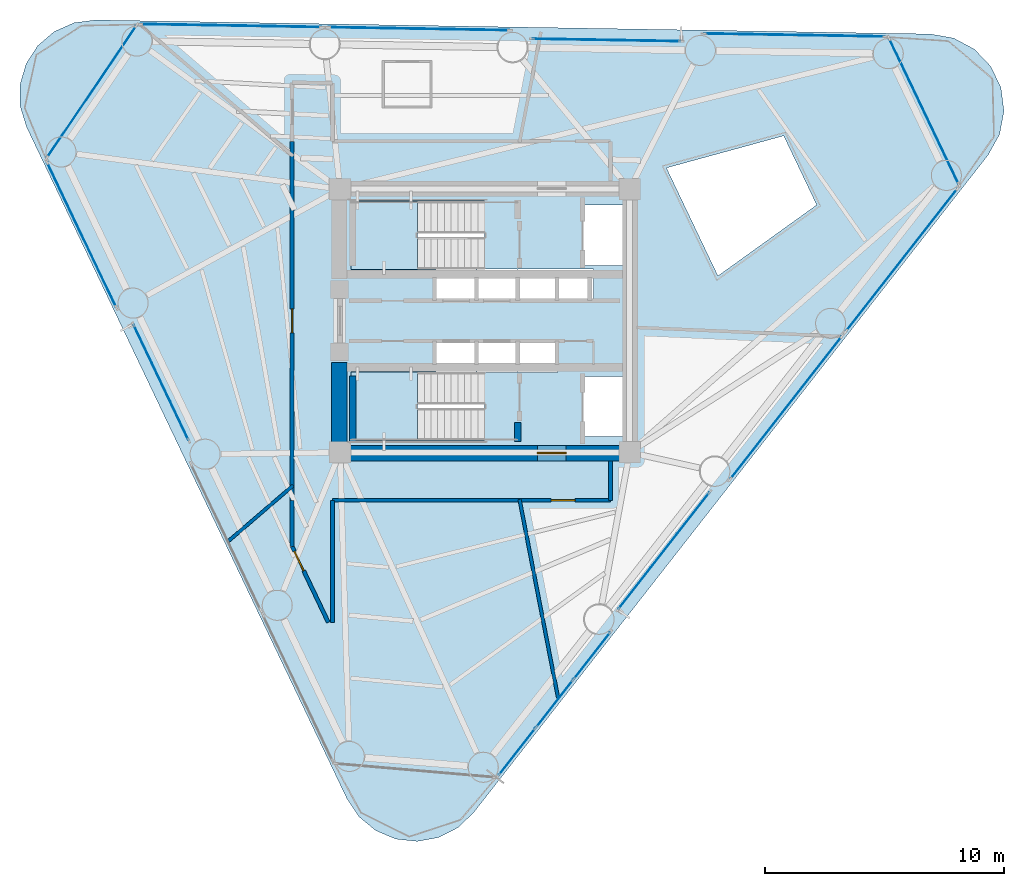
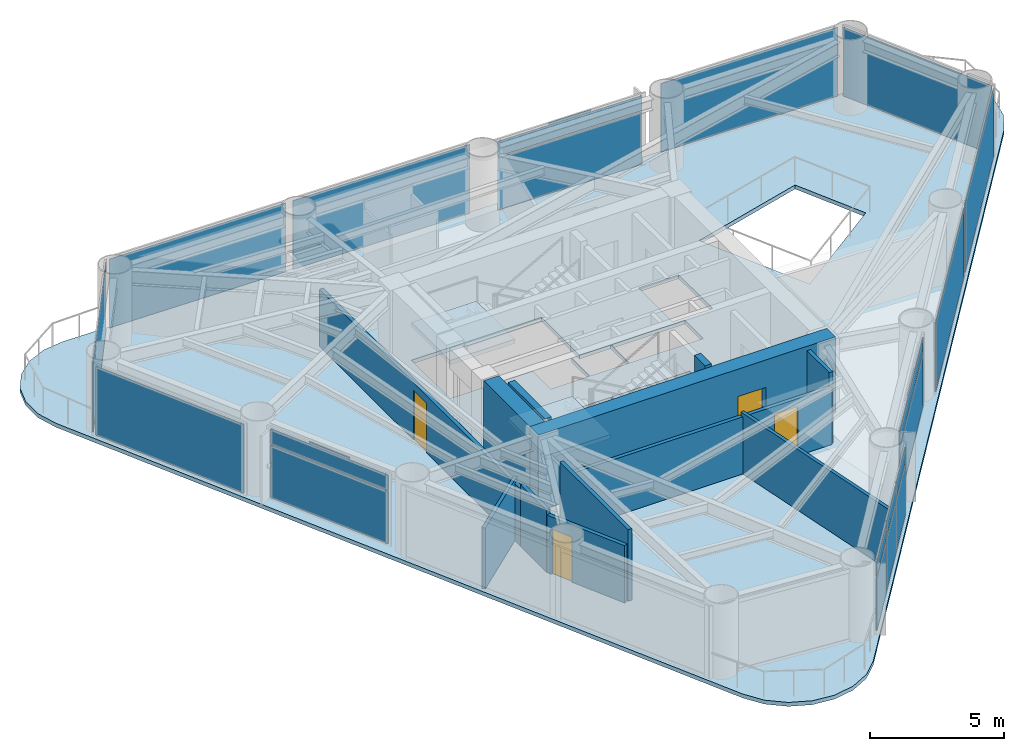
# One storey, part 5 of 10: 23 plates, 12 walls, 4 doors, 3 slabs, 4 openings, 14 elements without a shape of their own.
"""IFC4 building model written with IfcOpenShell, lengths in metres."""

from ifc_helpers import new_model, si_unit, direction, frame, frame_2d, origin, origin_2d, place, context, subcontext, project, spatial, polyline, rectangle, outline, extrude, source, transform, mapped, material, layer, layer_set, type_object, element, fill, aggregate, save


model = new_model("IFC4")

# Units and contexts
model_context = context("Model", 3, precision=1e-05, world=origin(), true_north=direction((0.0, 1.0)))
body_context = subcontext(model_context, "Body", "Model", "MODEL_VIEW")
ifc_project = project(units=[si_unit("LENGTHUNIT", "METRE"), si_unit("AREAUNIT", "SQUARE_METRE"), si_unit("VOLUMEUNIT", "CUBIC_METRE"), si_unit("PLANEANGLEUNIT", "RADIAN"), si_unit("MASSUNIT", "GRAM", prefix="KILO")], contexts=[model_context])

# Site, building, storey
site_placement = place(None, origin())
site = spatial("IfcSite", under=ifc_project, at=site_placement, CompositionType="ELEMENT")
building_placement = place(site_placement, origin())
building = spatial("IfcBuilding", under=site, at=building_placement, Name="Yunling Apex Tower", CompositionType="ELEMENT")
storey_placement = place(building_placement, frame((0.0, 0.0, 146.75)))
storey = spatial("IfcBuildingStorey", under=building, at=storey_placement, Name="L36", CompositionType="ELEMENT", Elevation=146.75)

# Slab
ifc_material_1 = material(Name="Concrete C40", Category="concrete")
ifc_layer_1 = layer(ifc_material_1, 0.1650390625)
ifc_layer_set_1 = layer_set([ifc_layer_1], Name="Concrete C40")
slab_type_1 = type_object("IfcSlabType", Name="SL-FLR-2", PredefinedType="FLOOR", material=ifc_layer_set_1)
slab_1_placement = place(storey_placement, frame((0.0, 0.0, -0.179931640625)))
element("IfcSlab", 1, at=slab_1_placement, inside=storey, type_object=slab_type_1, Name="L36 Composite Tower Floor Slab", PredefinedType="FLOOR", context=body_context, shape_type="SweptSolid", body=[
    extrude(outline(polyline([(-5.759765625, -19.970947265625), (-5.255615234375, -20.723388671875), (-4.55712890625, -21.300048828125), (-3.722900390625, -21.652587890625), (-2.82275390625, -21.75146484375), (-1.931884765625, -21.58837890625), (-1.125, -21.17724609375), (-0.469482421875, -20.55224609375), (21.029541015625, 6.926025390625), (21.5078125, 7.7900390625), (21.693115234375, 8.76025390625), (21.566650390625, 9.73974609375), (21.1416015625, 10.631103515625), (20.459716796875, 11.345703125), (19.58935546875, 11.812255859375), (18.616943359375, 11.984375), (-16.267578125, 12.569091796875), (-17.165771484375, 12.453125), (-17.9931640625, 12.084716796875), (-18.680419921875, 11.4951171875), (-19.170166015625, 10.733154296875), (-19.421142578125, 9.86279296875), (-19.41259765625, 8.957275390625), (-19.14501953125, 8.092041015625), (-5.759765625, -19.970947265625)]), holes=[polyline([(12.489013671875, 7.7294921875), (13.86669921875, 4.84130859375), (9.7412109375, 1.87646484375), (7.58837890625, 6.389404296875), (12.489013671875, 7.7294921875)]), polyline([(4.090087890625, -2.320068359375), (5.81005859375, -2.320068359375), (5.81005859375, -4.840087890625), (4.090087890625, -4.840087890625), (4.090087890625, -2.320068359375)]), polyline([(5.81005859375, 4.840087890625), (5.81005859375, 2.320068359375), (4.090087890625, 2.320068359375), (4.090087890625, 4.840087890625), (5.81005859375, 4.840087890625)]), polyline([(1.364990234375, 2.1650390625), (4.534912109375, 2.1650390625), (4.534912109375, 0.794921875), (1.364990234375, 0.794921875), (1.364990234375, 2.1650390625)]), polyline([(3.034912109375, -0.794921875), (3.034912109375, -2.1650390625), (1.364990234375, -2.1650390625), (1.364990234375, -0.794921875), (3.034912109375, -0.794921875)]), polyline([(-2.034912109375, -0.794921875), (-0.364990234375, -0.794921875), (-0.364990234375, -2.139892578125), (-0.3349609375, -2.139892578125), (-0.3349609375, -0.794921875), (1.3349609375, -0.794921875), (1.3349609375, -2.1650390625), (-0.010009765625, -2.1650390625), (-0.010009765625, -5.010009765625), (-5.60009765625, -5.010009765625), (-5.60009765625, -2.139892578125), (-2.034912109375, -2.139892578125), (-2.034912109375, -0.794921875)]), polyline([(-5.60009765625, 2.139892578125), (-5.60009765625, 5.010009765625), (-0.010009765625, 5.010009765625), (-0.010009765625, 2.1650390625), (1.3349609375, 2.1650390625), (1.3349609375, 0.794921875), (-0.3349609375, 0.794921875), (-0.3349609375, 2.139892578125), (-0.364990234375, 2.139892578125), (-0.364990234375, 0.794921875), (-2.034912109375, 0.794921875), (-2.034912109375, 2.139892578125), (-5.60009765625, 2.139892578125)])]), origin(), (0.0, 0.0, 1.0), 0.179931640625),
])

# Stair, slab
stair_type = type_object("IfcStairType", Name="ST-TWR-2", PredefinedType="HALF_TURN_STAIR", material=ifc_material_1)
stair_1_placement = place(storey_placement, origin())
stair_1 = element("IfcStair", 2, at=stair_1_placement, inside=storey, type_object=stair_type, Name="L36 North Core Smokeproof Exit Stair ST-1", PredefinedType="HALF_TURN_STAIR")
ifc_layer_2 = layer(ifc_material_1, 0.195068359375)
ifc_layer_set_2 = layer_set([ifc_layer_2], Name="Concrete C40")
slab_type_2 = type_object("IfcSlabType", Name="SL-LND-1", PredefinedType="LANDING", material=ifc_layer_set_2)
slab_2_placement = place(storey_placement, frame((0.0, 0.0, 1.530029296875)))
slab_2 = element("IfcSlab", 3, at=slab_2_placement, type_object=slab_type_2, Name="ST-1 landing 1", PredefinedType="LANDING", context=body_context, shape_type="SweptSolid", body=[
    extrude(outline(polyline([(-2.81005859375, 5.010009765625), (-5.60009765625, 5.010009765625), (-5.60009765625, 2.139892578125), (-2.81005859375, 2.139892578125), (-2.81005859375, 5.010009765625)])), origin(), (0.0, 0.0, 1.0), 0.195068359375),
])
aggregate(stair_1, [slab_2])

stair_2_placement = place(storey_placement, origin())
stair_2 = element("IfcStair", 4, at=stair_2_placement, inside=storey, type_object=stair_type, Name="L36 South Core Smokeproof Exit Stair ST-2", PredefinedType="HALF_TURN_STAIR")
slab_3_placement = place(storey_placement, frame((0.0, 0.0, 1.530029296875)))
slab_3 = element("IfcSlab", 5, at=slab_3_placement, type_object=slab_type_2, Name="ST-2 landing 1", PredefinedType="LANDING", context=body_context, shape_type="SweptSolid", body=[
    extrude(outline(polyline([(-2.81005859375, -2.139892578125), (-5.60009765625, -2.139892578125), (-5.60009765625, -5.010009765625), (-2.81005859375, -5.010009765625), (-2.81005859375, -2.139892578125)])), origin(), (0.0, 0.0, 1.0), 0.195068359375),
])
aggregate(stair_2, [slab_3])

# Plates
ifc_material_2 = material(Name="Bronze anodised aluminium", Category="aluminium")
ifc_layer_3 = layer(ifc_material_2, 0.011962890625)
ifc_layer_set_3 = layer_set([ifc_layer_3], Name="Bronze anodised aluminium")
plate_type_1 = type_object("IfcPlateType", Name="SP-SHT-1", PredefinedType="SHEET", material=ifc_layer_set_3)
shared_shape_1 = source(origin(), body_context, "Body", "SweptSolid", [
    extrude(rectangle(XDim=1.800048828125, YDim=0.02392578125, at=origin_2d()), origin(), (0.0, 0.0, 1.0), 0.43994140625),
])
for number, where, z_axis, x_axis, name in (
    (6, (7.4833984375, -9.608642578125, 2.8701171875), (0.0, 0.0, 1.0), (0.616211460536, 0.787580748815, 0.0), "SP-GRV-L36-F1"),
    (7, (5.091064453125, 11.73095703125, 2.8701171875), (0.0, 0.0, 1.0), (-0.999859635577, 0.016754376869, 0.0), "SP-GRV-L36-F2"),
    (8, (-13.52490234375, -2.57568359375, 2.8701171875), (0.0, 0.0, 1.0), (0.430511096808, -0.90258528435, 0.0), "SP-GRV-L36-F3"),
):
    element("IfcPlate", number, at=place(storey_placement, frame(where, z_axis=z_axis, x_axis=x_axis)), inside=storey, type_object=plate_type_1, Name=name, PredefinedType="SHEET", context=body_context, shape_type="MappedRepresentation", body=[
        mapped(shared_shape_1, transform((0.0, 0.0, 0.0), scale=1.0)),
    ])

# Curtain wall, plates
ifc_layer_4 = layer(ifc_material_2, 0.239990234375)
ifc_layer_set_4 = layer_set([ifc_layer_4], Name="Bronze anodised aluminium")
curtain_wall_type = type_object("IfcCurtainWallType", Name="CW-SYS-3", PredefinedType="NOTDEFINED", material=ifc_layer_set_4)
curtain_wall_1_placement = place(storey_placement, origin())
curtain_wall_1 = element("IfcCurtainWall", 9, at=curtain_wall_1_placement, inside=storey, type_object=curtain_wall_type, Name="CW-L36-F1-B1", PredefinedType="NOTDEFINED")
ifc_material_3 = material(Name="Bronze tinted low-E glass", Category="glass")
ifc_layer_5 = layer(ifc_material_3, 0.031982421875)
ifc_layer_set_5 = layer_set([ifc_layer_5], Name="Bronze tinted low-E glass")
plate_type_2 = type_object("IfcPlateType", Name="CW-PNL-3", PredefinedType="CURTAIN_PANEL", material=ifc_layer_set_5)
shared_shape_2 = source(origin(), body_context, "Body", "SweptSolid", [
    extrude(rectangle(XDim=2.45947265625, YDim=0.031982421875, at=origin_2d()), origin(), (0.0, 0.0, 1.0), 2.381103515625),
])
plate_1_placement = place(storey_placement, frame((1.3466796875, -18.00390625, 0.072265625), z_axis=(0.0, 0.0, 1.0), x_axis=(0.616207626377, 0.787583748686, 0.0)))
plate_1 = element("IfcPlate", 10, at=plate_1_placement, type_object=plate_type_2, Name="CW-SYS-3 panel 1.1", PredefinedType="CURTAIN_PANEL", context=body_context, shape_type="MappedRepresentation", body=[
    mapped(shared_shape_2, transform((0.0, 0.0, 0.0), scale=1.0)),
])
plate_2_placement = place(storey_placement, frame((4.481201171875, -13.99755859375, 0.072265625), z_axis=(0.0, 0.0, 1.0), x_axis=(0.616207626377, 0.787583748686, 0.0)))
plate_2 = element("IfcPlate", 11, at=plate_2_placement, type_object=plate_type_2, Name="CW-SYS-3 panel 3.1", PredefinedType="CURTAIN_PANEL", context=body_context, shape_type="MappedRepresentation", body=[
    mapped(shared_shape_2, transform((0.0, 0.0, 0.0), scale=1.0)),
])
shared_shape_3 = source(origin(), body_context, "Body", "SweptSolid", [
    extrude(rectangle(XDim=2.45947265625, YDim=0.031982421875, at=origin_2d()), origin(), (0.0, 0.0, 1.0), 0.680908203125),
])
plate_3_placement = place(storey_placement, frame((1.3466796875, -18.00390625, 2.51708984375), z_axis=(0.0, 0.0, 1.0), x_axis=(0.616207626377, 0.787583748686, 0.0)))
plate_3 = element("IfcPlate", 12, at=plate_3_placement, type_object=plate_type_2, Name="CW-SYS-3 panel 1.2", PredefinedType="CURTAIN_PANEL", context=body_context, shape_type="MappedRepresentation", body=[
    mapped(shared_shape_3, transform((0.0, 0.0, 0.0), scale=1.0)),
])
plate_4_placement = place(storey_placement, frame((4.481201171875, -13.99755859375, 2.51708984375), z_axis=(0.0, 0.0, 1.0), x_axis=(0.616207626377, 0.787583748686, 0.0)))
plate_4 = element("IfcPlate", 13, at=plate_4_placement, type_object=plate_type_2, Name="CW-SYS-3 panel 3.2", PredefinedType="CURTAIN_PANEL", context=body_context, shape_type="MappedRepresentation", body=[
    mapped(shared_shape_3, transform((0.0, 0.0, 0.0), scale=1.0)),
])
shared_shape_4 = source(origin(), body_context, "Body", "SweptSolid", [
    extrude(rectangle(XDim=2.499267578125, YDim=0.031982421875, at=origin_2d()), origin(), (0.0, 0.0, 1.0), 2.381103515625),
])
plate_5_placement = place(storey_placement, frame((2.913818359375, -16.000732421875, 0.072265625), z_axis=(0.0, 0.0, 1.0), x_axis=(0.616207626377, 0.787583748686, 0.0)))
plate_5 = element("IfcPlate", 14, at=plate_5_placement, type_object=plate_type_2, Name="CW-SYS-3 panel 2.1", PredefinedType="CURTAIN_PANEL", context=body_context, shape_type="MappedRepresentation", body=[
    mapped(shared_shape_4, transform((0.0, 0.0, 0.0), scale=1.0)),
])
shared_shape_5 = source(origin(), body_context, "Body", "SweptSolid", [
    extrude(rectangle(XDim=2.499267578125, YDim=0.031982421875, at=origin_2d()), origin(), (0.0, 0.0, 1.0), 0.680908203125),
])
plate_6_placement = place(storey_placement, frame((2.913818359375, -16.000732421875, 2.51708984375), z_axis=(0.0, 0.0, 1.0), x_axis=(0.616207626377, 0.787583748686, 0.0)))
plate_6 = element("IfcPlate", 15, at=plate_6_placement, type_object=plate_type_2, Name="CW-SYS-3 panel 2.2", PredefinedType="CURTAIN_PANEL", context=body_context, shape_type="MappedRepresentation", body=[
    mapped(shared_shape_5, transform((0.0, 0.0, 0.0), scale=1.0)),
])
aggregate(curtain_wall_1, [plate_1, plate_3, plate_5, plate_6, plate_2, plate_4])

curtain_wall_2_placement = place(storey_placement, origin())
curtain_wall_2 = element("IfcCurtainWall", 16, at=curtain_wall_2_placement, inside=storey, type_object=curtain_wall_type, Name="CW-L36-F1-B2", PredefinedType="NOTDEFINED")
shared_shape_6 = source(origin(), body_context, "Body", "SweptSolid", [
    extrude(rectangle(XDim=6.166015625, YDim=0.031982421875, at=origin_2d()), origin(), (0.0, 0.0, 1.0), 2.381103515625),
])
plate_7_placement = place(storey_placement, frame((7.4833984375, -9.608642578125, 0.072265625), z_axis=(0.0, 0.0, 1.0), x_axis=(0.616199292419, 0.787590269126, 0.0)))
plate_7 = element("IfcPlate", 17, at=plate_7_placement, type_object=plate_type_2, Name="CW-SYS-3 panel 1.1", PredefinedType="CURTAIN_PANEL", context=body_context, shape_type="MappedRepresentation", body=[
    mapped(shared_shape_6, transform((0.0, 0.0, 0.0), scale=1.0)),
])
shared_shape_7 = source(origin(), body_context, "Body", "SweptSolid", [
    extrude(rectangle(XDim=6.166015625, YDim=0.031982421875, at=origin_2d()), origin(), (0.0, 0.0, 1.0), 0.680908203125),
])
plate_8_placement = place(storey_placement, frame((7.4833984375, -9.608642578125, 2.51708984375), z_axis=(0.0, 0.0, 1.0), x_axis=(0.616199292419, 0.787590269126, 0.0)))
plate_8 = element("IfcPlate", 18, at=plate_8_placement, type_object=plate_type_2, Name="CW-SYS-3 panel 1.2", PredefinedType="CURTAIN_PANEL", context=body_context, shape_type="MappedRepresentation", body=[
    mapped(shared_shape_7, transform((0.0, 0.0, 0.0), scale=1.0)),
])
aggregate(curtain_wall_2, [plate_7, plate_8])

# Curtain wall, plate
curtain_wall_3_placement = place(storey_placement, origin())
curtain_wall_3 = element("IfcCurtainWall", 19, at=curtain_wall_3_placement, inside=storey, type_object=curtain_wall_type, Name="CW-L36-F1-B3", PredefinedType="NOTDEFINED")
shared_shape_8 = source(origin(), body_context, "Body", "SweptSolid", [
    extrude(rectangle(XDim=7.546142578125, YDim=0.031982421875, at=origin_2d()), origin(), (0.0, 0.0, 1.0), 3.1259765625),
])
plate_9_placement = place(storey_placement, frame((12.58837890625, -3.635498046875, 0.072021484375), z_axis=(0.0, 0.0, 1.0), x_axis=(0.616207626377, 0.787583748686, 0.0)))
plate_9 = element("IfcPlate", 20, at=plate_9_placement, type_object=plate_type_2, Name="CW-SYS-3 panel 1.1", PredefinedType="CURTAIN_PANEL", context=body_context, shape_type="MappedRepresentation", body=[
    mapped(shared_shape_8, transform((0.0, 0.0, 0.0), scale=1.0)),
])
aggregate(curtain_wall_3, [plate_9])

curtain_wall_4_placement = place(storey_placement, origin())
curtain_wall_4 = element("IfcCurtainWall", 21, at=curtain_wall_4_placement, inside=storey, type_object=curtain_wall_type, Name="CW-L36-F1-B4", PredefinedType="NOTDEFINED")
plate_10_placement = place(storey_placement, frame((17.425537109375, 2.547119140625, 0.072021484375), z_axis=(0.0, 0.0, 1.0), x_axis=(0.616207626377, 0.787583748686, 0.0)))
plate_10 = element("IfcPlate", 22, at=plate_10_placement, type_object=plate_type_2, Name="CW-SYS-3 panel 1.1", PredefinedType="CURTAIN_PANEL", context=body_context, shape_type="MappedRepresentation", body=[
    mapped(shared_shape_8, transform((0.0, 0.0, 0.0), scale=1.0)),
])
aggregate(curtain_wall_4, [plate_10])

curtain_wall_5_placement = place(storey_placement, origin())
curtain_wall_5 = element("IfcCurtainWall", 23, at=curtain_wall_5_placement, inside=storey, type_object=curtain_wall_type, Name="CW-L36-F2-B1", PredefinedType="NOTDEFINED")
plate_11_placement = place(storey_placement, frame((12.94580078125, 11.939453125, 0.072021484375), z_axis=(0.0, 0.0, 1.0), x_axis=(-0.99985951392, 0.016761635477, 0.0)))
plate_11 = element("IfcPlate", 24, at=plate_11_placement, type_object=plate_type_2, Name="CW-SYS-3 panel 1.1", PredefinedType="CURTAIN_PANEL", context=body_context, shape_type="MappedRepresentation", body=[
    mapped(shared_shape_8, transform((0.0, 0.0, 0.0), scale=1.0)),
])
aggregate(curtain_wall_5, [plate_11])

curtain_wall_6_placement = place(storey_placement, origin())
curtain_wall_6 = element("IfcCurtainWall", 25, at=curtain_wall_6_placement, inside=storey, type_object=curtain_wall_type, Name="CW-L36-F2-B3", PredefinedType="NOTDEFINED")
plate_12_placement = place(storey_placement, frame((-2.752197265625, 12.20263671875, 0.072021484375), z_axis=(0.0, 0.0, 1.0), x_axis=(-0.99985951392, 0.016761635477, 0.0)))
plate_12 = element("IfcPlate", 26, at=plate_12_placement, type_object=plate_type_2, Name="CW-SYS-3 panel 1.1", PredefinedType="CURTAIN_PANEL", context=body_context, shape_type="MappedRepresentation", body=[
    mapped(shared_shape_8, transform((0.0, 0.0, 0.0), scale=1.0)),
])
aggregate(curtain_wall_6, [plate_12])

curtain_wall_7_placement = place(storey_placement, origin())
curtain_wall_7 = element("IfcCurtainWall", 27, at=curtain_wall_7_placement, inside=storey, type_object=curtain_wall_type, Name="CW-L36-F2-B4", PredefinedType="NOTDEFINED")
plate_13_placement = place(storey_placement, frame((-10.60107421875, 12.334228515625, 0.072021484375), z_axis=(0.0, 0.0, 1.0), x_axis=(-0.99985951392, 0.016761635477, 0.0)))
plate_13 = element("IfcPlate", 28, at=plate_13_placement, type_object=plate_type_2, Name="CW-SYS-3 panel 1.1", PredefinedType="CURTAIN_PANEL", context=body_context, shape_type="MappedRepresentation", body=[
    mapped(shared_shape_8, transform((0.0, 0.0, 0.0), scale=1.0)),
])
aggregate(curtain_wall_7, [plate_13])

curtain_wall_8_placement = place(storey_placement, origin())
curtain_wall_8 = element("IfcCurtainWall", 29, at=curtain_wall_8_placement, inside=storey, type_object=curtain_wall_type, Name="CW-L36-CRN1", PredefinedType="NOTDEFINED")
shared_shape_9 = source(origin(), body_context, "Body", "SweptSolid", [
    extrude(rectangle(XDim=6.728271484375, YDim=0.031982421875, at=origin_2d()), origin(), (0.0, 0.0, 1.0), 3.1259765625),
])
plate_14_placement = place(storey_placement, frame((18.349365234375, 8.752197265625, 0.072021484375), z_axis=(0.0, 0.0, 1.0), x_axis=(-0.430518667458, 0.902581673296, 0.0)))
plate_14 = element("IfcPlate", 30, at=plate_14_placement, type_object=plate_type_2, Name="CW-SYS-3 panel 1.1", PredefinedType="CURTAIN_PANEL", context=body_context, shape_type="MappedRepresentation", body=[
    mapped(shared_shape_9, transform((0.0, 0.0, 0.0), scale=1.0)),
])
aggregate(curtain_wall_8, [plate_14])

# Curtain wall, plates
curtain_wall_9_placement = place(storey_placement, origin())
curtain_wall_9 = element("IfcCurtainWall", 31, at=curtain_wall_9_placement, inside=storey, type_object=curtain_wall_type, Name="CW-L36-F2-B2", PredefinedType="NOTDEFINED")
shared_shape_10 = source(origin(), body_context, "Body", "SweptSolid", [
    extrude(rectangle(XDim=6.166259765625, YDim=0.031982421875, at=origin_2d()), origin(), (0.0, 0.0, 1.0), 2.381103515625),
])
plate_15_placement = place(storey_placement, frame((5.091064453125, 11.73095703125, 0.072265625), z_axis=(0.0, 0.0, 1.0), x_axis=(-0.999859431696, 0.016766539529, 0.0)))
plate_15 = element("IfcPlate", 32, at=plate_15_placement, type_object=plate_type_2, Name="CW-SYS-3 panel 1.1", PredefinedType="CURTAIN_PANEL", context=body_context, shape_type="MappedRepresentation", body=[
    mapped(shared_shape_10, transform((0.0, 0.0, 0.0), scale=1.0)),
])
shared_shape_11 = source(origin(), body_context, "Body", "SweptSolid", [
    extrude(rectangle(XDim=6.166259765625, YDim=0.031982421875, at=origin_2d()), origin(), (0.0, 0.0, 1.0), 0.680908203125),
])
plate_16_placement = place(storey_placement, frame((5.091064453125, 11.73095703125, 2.51708984375), z_axis=(0.0, 0.0, 1.0), x_axis=(-0.999859431696, 0.016766539529, 0.0)))
plate_16 = element("IfcPlate", 33, at=plate_16_placement, type_object=plate_type_2, Name="CW-SYS-3 panel 1.2", PredefinedType="CURTAIN_PANEL", context=body_context, shape_type="MappedRepresentation", body=[
    mapped(shared_shape_11, transform((0.0, 0.0, 0.0), scale=1.0)),
])
aggregate(curtain_wall_9, [plate_15, plate_16])

# Curtain wall, plate
curtain_wall_10_placement = place(storey_placement, origin())
curtain_wall_10 = element("IfcCurtainWall", 34, at=curtain_wall_10_placement, inside=storey, type_object=curtain_wall_type, Name="CW-L36-CRN2", PredefinedType="NOTDEFINED")
shared_shape_12 = source(origin(), body_context, "Body", "SweptSolid", [
    extrude(rectangle(XDim=6.644775390625, YDim=0.031982421875, at=origin_2d()), origin(), (0.0, 0.0, 1.0), 3.1259765625),
])
plate_17_placement = place(storey_placement, frame((-16.4287109375, 9.56884765625, 0.072021484375), z_axis=(0.0, 0.0, 1.0), x_axis=(-0.560523052964, -0.82813882115, 0.0)))
plate_17 = element("IfcPlate", 35, at=plate_17_placement, type_object=plate_type_2, Name="CW-SYS-3 panel 1.1", PredefinedType="CURTAIN_PANEL", context=body_context, shape_type="MappedRepresentation", body=[
    mapped(shared_shape_12, transform((0.0, 0.0, 0.0), scale=1.0)),
])
aggregate(curtain_wall_10, [plate_17])

curtain_wall_11_placement = place(storey_placement, origin())
curtain_wall_11 = element("IfcCurtainWall", 36, at=curtain_wall_11_placement, inside=storey, type_object=curtain_wall_type, Name="CW-L36-F3-B1", PredefinedType="NOTDEFINED")
shared_shape_13 = source(origin(), body_context, "Body", "SweptSolid", [
    extrude(rectangle(XDim=6.691650390625, YDim=0.031982421875, at=origin_2d()), origin(), (0.0, 0.0, 1.0), 3.1259765625),
])
plate_18_placement = place(storey_placement, frame((-16.843505859375, 3.592041015625, 0.072021484375), z_axis=(0.0, 0.0, 1.0), x_axis=(0.4305058957, -0.902587765133, 0.0)))
plate_18 = element("IfcPlate", 37, at=plate_18_placement, type_object=plate_type_2, Name="CW-SYS-3 panel 1.1", PredefinedType="CURTAIN_PANEL", context=body_context, shape_type="MappedRepresentation", body=[
    mapped(shared_shape_13, transform((0.0, 0.0, 0.0), scale=1.0)),
])
aggregate(curtain_wall_11, [plate_18])

# Curtain wall, plates
curtain_wall_12_placement = place(storey_placement, origin())
curtain_wall_12 = element("IfcCurtainWall", 38, at=curtain_wall_12_placement, inside=storey, type_object=curtain_wall_type, Name="CW-L36-F3-B2", PredefinedType="NOTDEFINED")
shared_shape_14 = source(origin(), body_context, "Body", "SweptSolid", [
    extrude(rectangle(XDim=5.311767578125, YDim=0.031982421875, at=origin_2d()), origin(), (0.0, 0.0, 1.0), 2.381103515625),
])
plate_19_placement = place(storey_placement, frame((-13.52490234375, -2.57568359375, 0.072265625), z_axis=(0.0, 0.0, 1.0), x_axis=(0.430522606859, -0.902579794247, 0.0)))
plate_19 = element("IfcPlate", 39, at=plate_19_placement, type_object=plate_type_2, Name="CW-SYS-3 panel 1.1", PredefinedType="CURTAIN_PANEL", context=body_context, shape_type="MappedRepresentation", body=[
    mapped(shared_shape_14, transform((0.0, 0.0, 0.0), scale=1.0)),
])
shared_shape_15 = source(origin(), body_context, "Body", "SweptSolid", [
    extrude(rectangle(XDim=5.311767578125, YDim=0.031982421875, at=origin_2d()), origin(), (0.0, 0.0, 1.0), 0.680908203125),
])
plate_20_placement = place(storey_placement, frame((-13.52490234375, -2.57568359375, 2.51708984375), z_axis=(0.0, 0.0, 1.0), x_axis=(0.430522606859, -0.902579794247, 0.0)))
plate_20 = element("IfcPlate", 40, at=plate_20_placement, type_object=plate_type_2, Name="CW-SYS-3 panel 1.2", PredefinedType="CURTAIN_PANEL", context=body_context, shape_type="MappedRepresentation", body=[
    mapped(shared_shape_15, transform((0.0, 0.0, 0.0), scale=1.0)),
])
aggregate(curtain_wall_12, [plate_19, plate_20])

# Wall, opening, door
ifc_material_4 = material(Name="Concrete C50", Category="concrete")
ifc_layer_6 = layer(ifc_material_4, 0.64990234375)
ifc_layer_set_6 = layer_set([ifc_layer_6], Name="Concrete C50")
wall_type_1 = type_object("IfcWallType", Name="WL-COR-2", PredefinedType="SHEAR", material=ifc_layer_set_6)
wall_1_placement = place(storey_placement, frame((-6.39990234375, -5.52490234375, 0.0), z_axis=(0.0, 0.0, 1.0), x_axis=(1.0, 0.0, 0.0)))
wall_1 = element("IfcWall", 41, at=wall_1_placement, inside=storey, type_object=wall_type_1, Name="L36 South Core Shear Wall", PredefinedType="SHEAR", context=body_context, shape_type="SweptSolid", body=[
    extrude(rectangle(XDim=12.7998046875, YDim=0.64990234375, at=frame_2d((6.39990234375, 0.0))), origin(), (0.0, 0.0, 1.0), 3.449951171875),
])
opening_1_placement = place(wall_1_placement, frame((8.60009765625, 0.0, 0.0)))
opening_1 = element("IfcOpeningElement", 42, at=opening_1_placement, cuts=wall_1, Name="Opening DR-FFL-1", PredefinedType="OPENING", context=body_context, shape_type="SweptSolid", body=[
    extrude(rectangle(XDim=1.199951171875, YDim=2.199951171875, at=frame_2d((0.60009765625, 1.10009765625))), frame((0.0, 0.3349609375, 0.0), z_axis=(0.0, -1.0, 0.0), x_axis=(1.0, 0.0, 0.0)), (0.0, 0.0, 1.0), 0.669921875),
])
ifc_material_5 = material(Name="Steel Q355B", Category="steel")
door_type_1 = type_object("IfcDoorType", Name="DR-FFL-1", OperationType="NOTDEFINED", PredefinedType="DOOR", material=ifc_material_5)
door_1_placement = place(opening_1_placement, origin())
door_1 = element("IfcDoor", 43, at=door_1_placement, inside=storey, type_object=door_type_1, Name="L36 South Firefighting Lobby Door", OperationType="SINGLE_SWING_RIGHT", OverallHeight=2.199951171875, OverallWidth=1.199951171875, PredefinedType="DOOR", context=body_context, shape_type="SweptSolid", body=[
    extrude(rectangle(XDim=1.199951171875, YDim=2.199951171875, at=frame_2d((0.60009765625, 1.10009765625))), frame((0.0, 0.02490234375, 0.0), z_axis=(0.0, -1.0, 0.0), x_axis=(1.0, 0.0, 0.0)), (0.0, 0.0, 1.0), 0.050048828125),
])
fill(opening_1, door_1)

# Walls
wall_2_placement = place(storey_placement, frame((-6.074951171875, -5.199951171875, 0.0), z_axis=(0.0, 0.0, 1.0), x_axis=(0.0, 1.0, 0.0)))
element("IfcWall", 44, at=wall_2_placement, inside=storey, type_object=wall_type_1, Name="L36 West-South Core Shear Wall", PredefinedType="SHEAR", context=body_context, shape_type="SweptSolid", body=[
    extrude(rectangle(XDim=3.449951171875, YDim=0.64990234375, at=frame_2d((1.72509765625, 0.0))), origin(), (0.0, 0.0, 1.0), 3.449951171875),
])
ifc_layer_7 = layer(ifc_material_1, 0.280029296875)
ifc_layer_set_7 = layer_set([ifc_layer_7], Name="Concrete C40")
wall_type_2 = type_object("IfcWallType", Name="WL-COR-8", PredefinedType="SHEAR", material=ifc_layer_set_7)
wall_3_placement = place(storey_placement, frame((-5.52001953125, -5.050048828125, 0.0), z_axis=(0.0, 0.0, 1.0), x_axis=(0.0, 1.0, 0.0)))
element("IfcWall", 45, at=wall_3_placement, inside=storey, type_object=wall_type_2, Name="L36 ST-2 West Landing Bearing Wall", PredefinedType="SHEAR", context=body_context, shape_type="SweptSolid", body=[
    extrude(rectangle(XDim=2.75, YDim=0.280029296875, at=frame_2d((1.375, 0.0))), origin(), (0.0, 0.0, 1.0), 3.449951171875),
])
wall_4_placement = place(storey_placement, frame((1.3798828125, -5.050048828125, 0.0), z_axis=(0.0, 0.0, 1.0), x_axis=(0.0, 1.0, 0.0)))
element("IfcWall", 46, at=wall_4_placement, inside=storey, type_object=wall_type_2, Name="L36 ST-2 East Landing Bearing Pier", PredefinedType="SHEAR", context=body_context, shape_type="SweptSolid", body=[
    extrude(rectangle(XDim=0.800048828125, YDim=0.280029296875, at=frame_2d((0.39990234375, 0.0))), origin(), (0.0, 0.0, 1.0), 3.449951171875),
])

# Wall, opening, door
ifc_material_6 = material(Name="Gypsum board acoustic partition")
ifc_layer_8 = layer(ifc_material_6, 0.159912109375)
ifc_layer_set_8 = layer_set([ifc_layer_8], Name="Gypsum board acoustic partition")
wall_type_3 = type_object("IfcWallType", Name="WL-PRT-1", PredefinedType="PARTITIONING", material=ifc_layer_set_8)
wall_5_placement = place(storey_placement, frame((-6.538818359375, -12.60009765625, 0.0), z_axis=(0.0, 0.0, 1.0), x_axis=(-0.430527444218, 0.902577486853, 0.0)))
wall_5 = element("IfcWall", 47, at=wall_5_placement, inside=storey, type_object=wall_type_3, Name="WL-CORR-L36-01", PredefinedType="PARTITIONING", context=body_context, shape_type="SweptSolid", body=[
    extrude(rectangle(XDim=3.51025390625, YDim=0.159912109375, at=frame_2d((1.755126953125, 0.0))), origin(), (0.0, 0.0, 1.0), 2.60498046875),
])
opening_2_placement = place(wall_5_placement, frame((2.389892578125, 0.0, 0.0)))
opening_2 = element("IfcOpeningElement", 48, at=opening_2_placement, cuts=wall_5, Name="Opening DR-SHF-1", PredefinedType="OPENING", context=body_context, shape_type="SweptSolid", body=[
    extrude(rectangle(XDim=0.89990234375, YDim=2.050048828125, at=frame_2d((0.449951171875, 1.02490234375))), frame((0.0, 0.08984375, 0.0), z_axis=(0.0, -1.0, 0.0), x_axis=(1.0, 0.0, 0.0)), (0.0, 0.0, 1.0), 0.179931640625),
])
door_type_2 = type_object("IfcDoorType", Name="DR-SHF-1", OperationType="NOTDEFINED", PredefinedType="DOOR", material=ifc_material_5)
door_2_placement = place(opening_2_placement, origin())
door_2 = element("IfcDoor", 49, at=door_2_placement, inside=storey, type_object=door_type_2, Name="L36 Housekeeping Room Door", OperationType="SINGLE_SWING_RIGHT", OverallHeight=2.050048828125, OverallWidth=0.89990234375, PredefinedType="DOOR", context=body_context, shape_type="SweptSolid", body=[
    extrude(rectangle(XDim=0.89990234375, YDim=2.050048828125, at=frame_2d((0.449951171875, 1.02490234375))), frame((0.0, 0.02490234375, 0.0), z_axis=(0.0, -1.0, 0.0), x_axis=(1.0, 0.0, 0.0)), (0.0, 0.0, 1.0), 0.050048828125),
])
fill(opening_2, door_2)

# Wall
wall_6_placement = place(storey_placement, frame((-8.050048828125, -9.431884765625, 0.0), z_axis=(0.0, 0.0, 1.0), x_axis=(0.0, 1.0, 0.0)))
element("IfcWall", 50, at=wall_6_placement, inside=storey, type_object=wall_type_3, Name="WL-CORR-L36-02", PredefinedType="PARTITIONING", context=body_context, shape_type="SweptSolid", body=[
    extrude(rectangle(XDim=1.931884765625, YDim=0.159912109375, at=frame_2d((0.9658203125, 0.0))), origin(), (0.0, 0.0, 1.0), 2.804931640625),
])

# Wall, opening, door
wall_7_placement = place(storey_placement, frame((-8.050048828125, -7.5, 0.0), z_axis=(0.0, 0.0, 1.0), x_axis=(0.0, 1.0, 0.0)))
wall_7 = element("IfcWall", 51, at=wall_7_placement, inside=storey, type_object=wall_type_3, Name="WL-CORR-L36-03", PredefinedType="PARTITIONING", context=body_context, shape_type="SweptSolid", body=[
    extrude(rectangle(XDim=15.0, YDim=0.159912109375, at=frame_2d((7.5, 0.0))), origin(), (0.0, 0.0, 1.0), 2.60498046875),
])
opening_3_placement = place(wall_7_placement, frame((7.0, 0.0, 0.0)))
opening_3 = element("IfcOpeningElement", 52, at=opening_3_placement, cuts=wall_7, Name="Opening DR-OFF-1", PredefinedType="OPENING", context=body_context, shape_type="SweptSolid", body=[
    extrude(rectangle(XDim=1.0, YDim=2.25, at=frame_2d((0.5, 1.125))), frame((0.0, 0.08984375, 0.0), z_axis=(0.0, -1.0, 0.0), x_axis=(1.0, 0.0, 0.0)), (0.0, 0.0, 1.0), 0.179931640625),
])
door_type_3 = type_object("IfcDoorType", Name="DR-OFF-1", OperationType="NOTDEFINED", PredefinedType="DOOR", material=ifc_material_2)
door_3_placement = place(opening_3_placement, origin())
door_3 = element("IfcDoor", 53, at=door_3_placement, inside=storey, type_object=door_type_3, Name="L36 Club Lounge Door", OperationType="SINGLE_SWING_LEFT", OverallHeight=2.25, OverallWidth=1.0, PredefinedType="DOOR", context=body_context, shape_type="SweptSolid", body=[
    extrude(rectangle(XDim=1.0, YDim=2.25, at=frame_2d((0.5, 1.125))), frame((0.0, 0.02490234375, 0.0), z_axis=(0.0, -1.0, 0.0), x_axis=(1.0, 0.0, 0.0)), (0.0, 0.0, 1.0), 0.050048828125),
])
fill(opening_3, door_3)

# Wall
wall_8_placement = place(storey_placement, frame((5.25, -5.85009765625, 0.0), z_axis=(0.0, 0.0, 1.0), x_axis=(0.0, -1.0, 0.0)))
element("IfcWall", 54, at=wall_8_placement, inside=storey, type_object=wall_type_3, Name="WL-CORR-L36-09", PredefinedType="PARTITIONING", context=body_context, shape_type="SweptSolid", body=[
    extrude(rectangle(XDim=1.64990234375, YDim=0.159912109375, at=frame_2d((0.824951171875, 0.0))), origin(), (0.0, 0.0, 1.0), 3.25),
])

# Wall, opening, door
wall_9_placement = place(storey_placement, frame((5.25, -7.5, 0.0), z_axis=(0.0, 0.0, 1.0), x_axis=(-1.0, 0.0, 0.0)))
wall_9 = element("IfcWall", 55, at=wall_9_placement, inside=storey, type_object=wall_type_3, Name="WL-CORR-L36-10", PredefinedType="PARTITIONING", context=body_context, shape_type="SweptSolid", body=[
    extrude(rectangle(XDim=11.610107421875, YDim=0.159912109375, at=frame_2d((5.80517578125, 0.0))), origin(), (0.0, 0.0, 1.0), 2.60498046875),
])
opening_4_placement = place(wall_9_placement, frame((1.481689453125, 0.0, 0.0)))
opening_4 = element("IfcOpeningElement", 56, at=opening_4_placement, cuts=wall_9, Name="Opening DR-OFF-1", PredefinedType="OPENING", context=body_context, shape_type="SweptSolid", body=[
    extrude(rectangle(XDim=1.0, YDim=2.25, at=frame_2d((0.5, 1.125))), frame((0.0, 0.08984375, 0.0), z_axis=(0.0, -1.0, 0.0), x_axis=(1.0, 0.0, 0.0)), (0.0, 0.0, 1.0), 0.179931640625),
])
door_4_placement = place(opening_4_placement, origin())
door_4 = element("IfcDoor", 57, at=door_4_placement, inside=storey, type_object=door_type_3, Name="L36 Guest Pantry Kitchen Door", OperationType="SINGLE_SWING_RIGHT", OverallHeight=2.25, OverallWidth=1.0, PredefinedType="DOOR", context=body_context, shape_type="SweptSolid", body=[
    extrude(rectangle(XDim=1.0, YDim=2.25, at=frame_2d((0.5, 1.125))), frame((0.0, 0.02490234375, 0.0), z_axis=(0.0, -1.0, 0.0), x_axis=(1.0, 0.0, 0.0)), (0.0, 0.0, 1.0), 0.050048828125),
])
fill(opening_4, door_4)

# Walls
wall_10_placement = place(storey_placement, frame((-6.360107421875, -7.5, 0.0), z_axis=(0.0, 0.0, 1.0), x_axis=(0.0, -1.0, 0.0)))
element("IfcWall", 58, at=wall_10_placement, inside=storey, type_object=wall_type_3, Name="WL-CORR-L36-11", PredefinedType="PARTITIONING", context=body_context, shape_type="SweptSolid", body=[
    extrude(rectangle(XDim=5.10009765625, YDim=0.159912109375, at=frame_2d((2.550048828125, 0.0))), origin(), (0.0, 0.0, 1.0), 3.25),
])
ifc_layer_9 = layer(ifc_material_6, 0.139892578125)
ifc_layer_set_9 = layer_set([ifc_layer_9], Name="Gypsum board acoustic partition")
wall_type_4 = type_object("IfcWallType", Name="WL-PRT-2", PredefinedType="PARTITIONING", material=ifc_layer_set_9)
wall_11_placement = place(storey_placement, frame((-8.010009765625, -6.881591796875, 0.0), z_axis=(0.0, 0.0, 1.0), x_axis=(-0.75852259091, -0.651646744087, 0.0)))
element("IfcWall", 59, at=wall_11_placement, inside=storey, type_object=wall_type_4, Name="WL-RAD-L36-04", PredefinedType="PARTITIONING", context=body_context, shape_type="SweptSolid", body=[
    extrude(rectangle(XDim=3.547607421875, YDim=0.139892578125, at=frame_2d((1.77392578125, 0.0))), origin(), (0.0, 0.0, 1.0), 2.764892578125),
])
wall_12_placement = place(storey_placement, frame((1.4501953125, -7.4599609375, 0.0), z_axis=(0.0, 0.0, 1.0), x_axis=(0.190791487028, -0.981630586564, 0.0)))
element("IfcWall", 60, at=wall_12_placement, inside=storey, type_object=wall_type_4, Name="WL-RAD-L36-05", PredefinedType="PARTITIONING", context=body_context, shape_type="SweptSolid", body=[
    extrude(rectangle(XDim=8.44287109375, YDim=0.139892578125, at=frame_2d((4.221435546875, 0.0))), origin(), (0.0, 0.0, 1.0), 2.764892578125),
])

save(model, "model.ifc")
